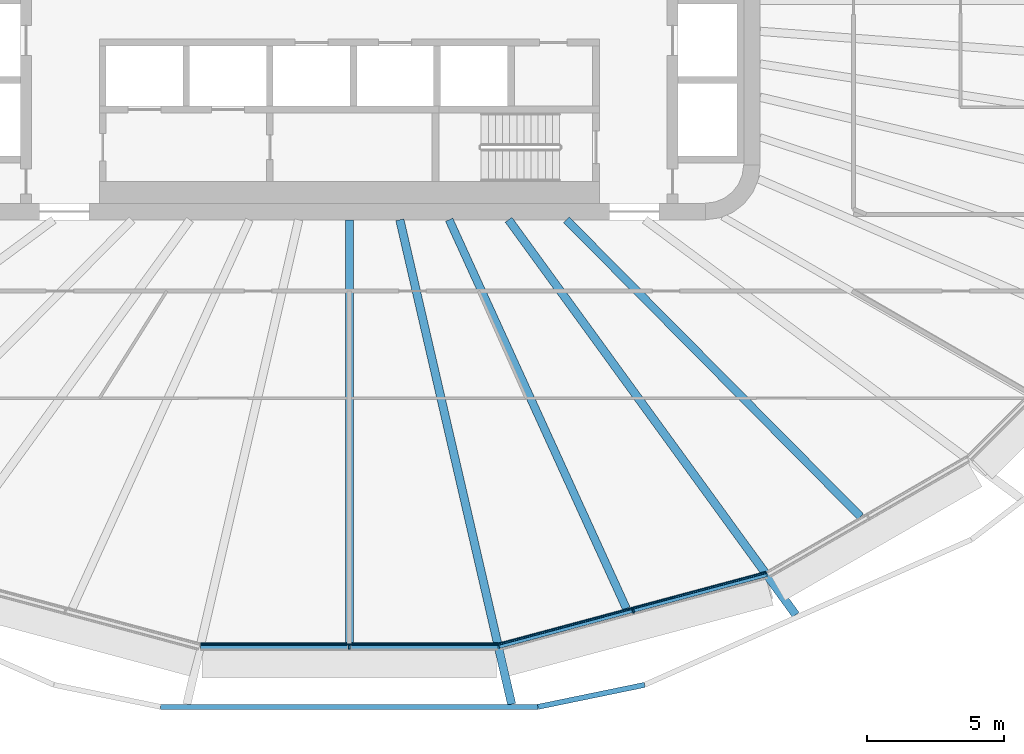
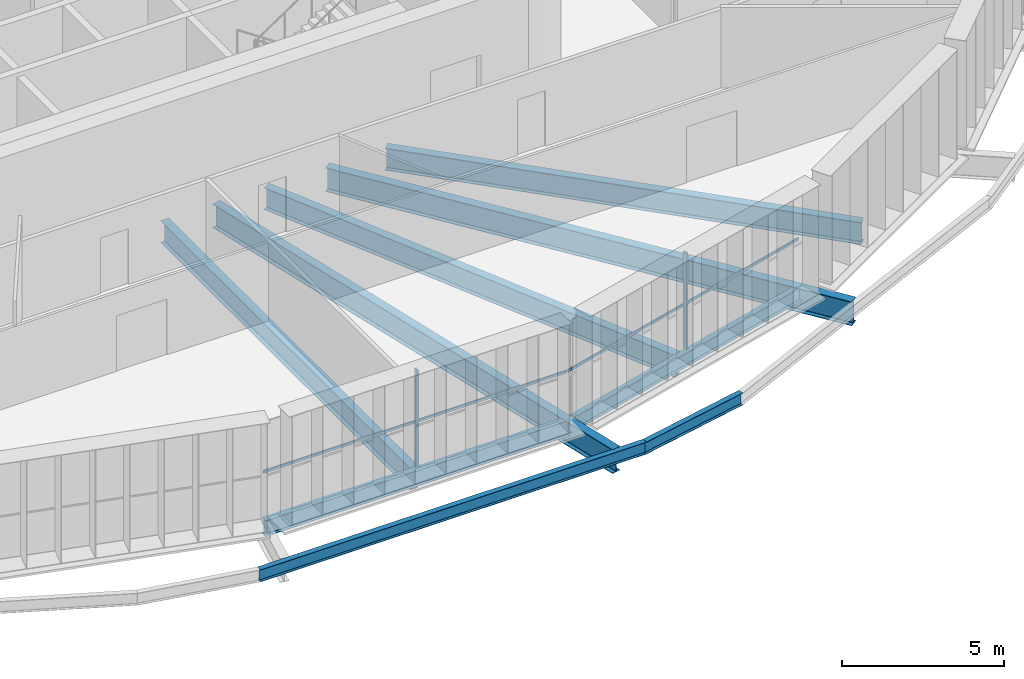
# One storey, part 4 of 25: 9 beams, 4 members, 2 elements without a shape of their own.
"""IFC4 building model written with IfcOpenShell, lengths in metres."""

from ifc_helpers import new_model, si_unit, direction, frame, origin, origin_2d, place, context, subcontext, project, spatial, rectangle, i_section, extrude, material, layer, layer_set, material_profile, profile_set, type_object, element, aggregate, save


model = new_model("IFC4")

# Units and contexts
model_context = context("Model", 3, precision=1e-05, world=origin(), true_north=direction((0.0, 1.0)))
body_context = subcontext(model_context, "Body", "Model", "MODEL_VIEW")
ifc_project = project(units=[si_unit("LENGTHUNIT", "METRE"), si_unit("AREAUNIT", "SQUARE_METRE"), si_unit("VOLUMEUNIT", "CUBIC_METRE"), si_unit("PLANEANGLEUNIT", "RADIAN"), si_unit("MASSUNIT", "GRAM", prefix="KILO")], contexts=[model_context])

# Site, building, storey
site_placement = place(None, origin())
site = spatial("IfcSite", under=ifc_project, at=site_placement, CompositionType="ELEMENT")
building_placement = place(site_placement, origin())
building = spatial("IfcBuilding", under=site, at=building_placement, Name="Sahrelin Media Tower", CompositionType="ELEMENT")
storey_placement = place(building_placement, frame((0.0, 0.0, 135.60009765625)))
storey = spatial("IfcBuildingStorey", under=building, at=storey_placement, Name="L27", CompositionType="ELEMENT", Elevation=135.60009765625)

# Beams
ifc_material_1 = material(Name="Steel S355", Category="steel")
ifc_material_profile_1 = material_profile(ifc_material_1, i_section(OverallWidth=0.208740234375, OverallDepth=0.5283203125, WebThickness=0.009521484375, FlangeThickness=0.01318359375, FilletRadius=0.0126953125, at=origin_2d()), Name="UB 533x210x82")
ifc_profile_set_1 = profile_set([ifc_material_profile_1], Name="Steel S355")
beam_type_1 = type_object("IfcBeamType", Name="Edge beam EB6", PredefinedType="BEAM", material=ifc_profile_set_1)
beam_1_placement = place(storey_placement, frame((15.23779296875, -20.9228515625, -0.414306640625), z_axis=(-0.96592349726, -0.258827737002, 0.0), x_axis=(0.258827737002, -0.96592349726, 0.0)))
element("IfcBeam", 1, at=beam_1_placement, inside=storey, type_object=beam_type_1, Name="Edge beam L27-06", PredefinedType="BEAM", context=body_context, shape_type="SweptSolid", body=[
    extrude(i_section(OverallWidth=0.208740234375, OverallDepth=0.5283203125, WebThickness=0.009521484375, FlangeThickness=0.01318359375, FilletRadius=0.0126953125, at=origin_2d()), origin(), (0.0, 0.0, 1.0), 10.119140625),
])
ifc_material_profile_2 = material_profile(ifc_material_1, i_section(OverallWidth=0.2275390625, OverallDepth=0.6025390625, WebThickness=0.010498046875, FlangeThickness=0.014892578125, FilletRadius=0.0126953125, at=origin_2d()), Name="UB 610x229x101")
ifc_profile_set_2 = profile_set([ifc_material_profile_2], Name="Steel S355")
beam_type_2 = type_object("IfcBeamType", Name="Edge beam EB7", PredefinedType="BEAM", material=ifc_profile_set_2)
beam_2_placement = place(storey_placement, frame((5.434814453125, -23.545654296875, -0.451416015625), z_axis=(-1.0, 0.0, 0.0), x_axis=(0.0, -1.0, 0.0)))
element("IfcBeam", 2, at=beam_2_placement, inside=storey, type_object=beam_type_2, Name="Edge beam L27-07", PredefinedType="BEAM", context=body_context, shape_type="SweptSolid", body=[
    extrude(i_section(OverallWidth=0.2275390625, OverallDepth=0.6025390625, WebThickness=0.010498046875, FlangeThickness=0.014892578125, FilletRadius=0.0126953125, at=origin_2d()), origin(), (0.0, 0.0, 1.0), 10.86962890625),
])

# Curtain wall, member
ifc_material_2 = material(Name="Champagne anodised aluminium 6063-T6", Category="aluminium")
ifc_layer = layer(ifc_material_2, 0.14990234375)
ifc_layer_set = layer_set([ifc_layer], Name="Tower ribbon curtain wall")
curtain_wall_type = type_object("IfcCurtainWallType", Name="Tower ribbon curtain wall", PredefinedType="NOTDEFINED", material=ifc_layer_set)
curtain_wall_1_placement = place(storey_placement, frame((0.0, -23.69580078125, 0.0), z_axis=(0.0, 0.0, 1.0), x_axis=(1.0, 0.0, 0.0)))
curtain_wall_1 = element("IfcCurtainWall", 3, at=curtain_wall_1_placement, inside=storey, type_object=curtain_wall_type, Name="L27:CW:L27-18", PredefinedType="NOTDEFINED")
ifc_material_profile_3 = material_profile(ifc_material_2, rectangle(XDim=0.06005859375, YDim=0.14990234375, at=origin_2d()), Name="Mullion 60x150")
ifc_profile_set_3 = profile_set([ifc_material_profile_3], Name="Champagne anodised aluminium 6063-T6")
member_type_1 = type_object("IfcMemberType", Name="Mullion 60x150 CW1", PredefinedType="MULLION", material=ifc_profile_set_3)
member_1_placement = place(storey_placement, frame((0.0, -23.6005859375, 0.0), z_axis=(0.0, 0.0, 1.0), x_axis=(1.0, 0.0, 0.0)))
member_1 = element("IfcMember", 4, at=member_1_placement, type_object=member_type_1, Name="L27:CWM:L27-18", PredefinedType="MULLION", context=body_context, shape_type="SweptSolid", body=[
    extrude(rectangle(XDim=0.06005859375, YDim=0.14990234375, at=origin_2d()), origin(), (0.0, 0.0, 1.0), 3.6484375),
])

curtain_wall_2_placement = place(storey_placement, frame((10.389404296875, -22.377197265625, 0.0), z_axis=(0.0, 0.0, 1.0), x_axis=(1.0, 0.0, 0.0)))
curtain_wall_2 = element("IfcCurtainWall", 5, at=curtain_wall_2_placement, inside=storey, type_object=curtain_wall_type, Name="L27:CW:L27-19", PredefinedType="NOTDEFINED")
member_2_placement = place(storey_placement, frame((10.364990234375, -22.285400390625, 0.0), z_axis=(0.0, 0.0, 1.0), x_axis=(0.965925826289, 0.258819045103, 0.0)))
member_2 = element("IfcMember", 6, at=member_2_placement, type_object=member_type_1, Name="L27:CWM:L27-19", PredefinedType="MULLION", context=body_context, shape_type="SweptSolid", body=[
    extrude(rectangle(XDim=0.06005859375, YDim=0.14990234375, at=origin_2d()), origin(), (0.0, 0.0, 1.0), 3.6484375),
])

# Beams
ifc_material_profile_4 = material_profile(ifc_material_1, i_section(OverallWidth=0.30322265625, OverallDepth=0.903076171875, WebThickness=0.01513671875, FlangeThickness=0.020263671875, FilletRadius=0.01904296875, at=origin_2d()), Name="UB 914x305x201")
ifc_profile_set_4 = profile_set([ifc_material_profile_4], Name="Steel S355")
beam_type_3 = type_object("IfcBeamType", Name="Radial primary beam PB11", PredefinedType="BEAM", material=ifc_profile_set_4)
beam_3_placement = place(storey_placement, frame((1.846435546875, -8.0, -0.6015625), z_axis=(0.224889964266, -0.974384166524, 0.0), x_axis=(0.974384166524, 0.224889964266, 0.0)))
element("IfcBeam", 7, at=beam_3_placement, inside=storey, type_object=beam_type_3, Name="Radial beam L27-19", PredefinedType="BEAM", context=body_context, shape_type="SweptSolid", body=[
    extrude(i_section(OverallWidth=0.30322265625, OverallDepth=0.903076171875, WebThickness=0.01513671875, FlangeThickness=0.020263671875, FilletRadius=0.01904296875, at=origin_2d()), origin(), (0.0, 0.0, 1.0), 18.14794921875),
])
beam_4_placement = place(storey_placement, frame((5.81591796875, -8.0, -0.6015625), z_axis=(0.588024299574, -0.808843262388, 0.0), x_axis=(0.808843262388, 0.588024299574, 0.0)))
element("IfcBeam", 8, at=beam_4_placement, inside=storey, type_object=beam_type_3, Name="Radial beam L27-20", PredefinedType="BEAM", context=body_context, shape_type="SweptSolid", body=[
    extrude(i_section(OverallWidth=0.30322265625, OverallDepth=0.903076171875, WebThickness=0.01513671875, FlangeThickness=0.020263671875, FilletRadius=0.01904296875, at=origin_2d()), origin(), (0.0, 0.0, 1.0), 17.826904296875),
])
ifc_material_profile_5 = material_profile(ifc_material_1, i_section(OverallWidth=0.291748046875, OverallDepth=0.8349609375, WebThickness=0.013916015625, FlangeThickness=0.018798828125, FilletRadius=0.017822265625, at=origin_2d()), Name="UB 838x292x176")
ifc_profile_set_5 = profile_set([ifc_material_profile_5], Name="Steel S355")
beam_type_4 = type_object("IfcBeamType", Name="Radial secondary beam SB10", PredefinedType="BEAM", material=ifc_profile_set_5)
beam_5_placement = place(storey_placement, frame((0.0, -8.0, -0.567626953125), z_axis=(0.0, -1.0, 0.0), x_axis=(1.0, 0.0, 0.0)))
element("IfcBeam", 9, at=beam_5_placement, inside=storey, type_object=beam_type_4, Name="Secondary beam L27-18", PredefinedType="BEAM", context=body_context, shape_type="SweptSolid", body=[
    extrude(i_section(OverallWidth=0.291748046875, OverallDepth=0.8349609375, WebThickness=0.013916015625, FlangeThickness=0.018798828125, FilletRadius=0.017822265625, at=origin_2d()), origin(), (0.0, 0.0, 1.0), 15.431884765625),
])
beam_6_placement = place(storey_placement, frame((3.64697265625, -8.0, -0.567626953125), z_axis=(0.414807797457, -0.909909056538, 0.0), x_axis=(0.909909056538, 0.414807797457, 0.0)))
element("IfcBeam", 10, at=beam_6_placement, inside=storey, type_object=beam_type_4, Name="Secondary beam L27-19", PredefinedType="BEAM", context=body_context, shape_type="SweptSolid", body=[
    extrude(i_section(OverallWidth=0.291748046875, OverallDepth=0.8349609375, WebThickness=0.013916015625, FlangeThickness=0.018798828125, FilletRadius=0.017822265625, at=origin_2d()), origin(), (0.0, 0.0, 1.0), 15.59228515625),
])
beam_7_placement = place(storey_placement, frame((7.92578125, -8.0, -0.567626953125), z_axis=(0.703794822352, -0.710403299563, 0.0), x_axis=(0.710403299563, 0.703794822352, 0.0)))
element("IfcBeam", 11, at=beam_7_placement, inside=storey, type_object=beam_type_4, Name="Secondary beam L27-20", PredefinedType="BEAM", context=body_context, shape_type="SweptSolid", body=[
    extrude(i_section(OverallWidth=0.291748046875, OverallDepth=0.8349609375, WebThickness=0.013916015625, FlangeThickness=0.018798828125, FilletRadius=0.017822265625, at=origin_2d()), origin(), (0.0, 0.0, 1.0), 15.257568359375),
])
ifc_material_profile_6 = material_profile(ifc_material_1, i_section(OverallWidth=0.1904296875, OverallDepth=0.45703125, WebThickness=0.009033203125, FlangeThickness=0.014404296875, FilletRadius=0.01025390625, at=origin_2d()), Name="UB 457x191x74")
ifc_profile_set_6 = profile_set([ifc_material_profile_6], Name="Steel S355")
beam_type_5 = type_object("IfcBeamType", Name="Tie chord TC5", PredefinedType="BEAM", material=ifc_profile_set_6)
beam_8_placement = place(storey_placement, frame((-6.8876953125, -25.7783203125, -0.378662109375), z_axis=(1.0, 0.0, 0.0), x_axis=(0.0, 1.0, 0.0)))
element("IfcBeam", 12, at=beam_8_placement, inside=storey, type_object=beam_type_5, Name="Tie chord L27-18", PredefinedType="BEAM", context=body_context, shape_type="SweptSolid", body=[
    extrude(i_section(OverallWidth=0.1904296875, OverallDepth=0.45703125, WebThickness=0.009033203125, FlangeThickness=0.014404296875, FilletRadius=0.01025390625, at=origin_2d()), origin(), (0.0, 0.0, 1.0), 13.775390625),
])
beam_9_placement = place(storey_placement, frame((6.8876953125, -25.7783203125, -0.378662109375), z_axis=(0.979384194354, 0.202006435171, 0.0), x_axis=(-0.202006435171, 0.979384194354, 0.0)))
element("IfcBeam", 13, at=beam_9_placement, inside=storey, type_object=beam_type_5, Name="Tie chord L27-19", PredefinedType="BEAM", context=body_context, shape_type="SweptSolid", body=[
    extrude(i_section(OverallWidth=0.1904296875, OverallDepth=0.45703125, WebThickness=0.009033203125, FlangeThickness=0.014404296875, FilletRadius=0.01025390625, at=origin_2d()), origin(), (0.0, 0.0, 1.0), 3.97509765625),
])

# Member
ifc_material_profile_7 = material_profile(ifc_material_2, rectangle(XDim=0.050048828125, YDim=0.10009765625, at=origin_2d()), Name="Transom 50x100")
ifc_profile_set_7 = profile_set([ifc_material_profile_7], Name="Champagne anodised aluminium 6063-T6")
member_type_2 = type_object("IfcMemberType", Name="Transom 50x100 CW1", PredefinedType="USERDEFINED", material=ifc_profile_set_7)
member_3_placement = place(storey_placement, frame((-5.419189453125, -23.500732421875, 1.599853515625), z_axis=(1.0, 0.0, 0.0), x_axis=(0.0, 1.0, 0.0)))
member_3 = element("IfcMember", 14, at=member_3_placement, type_object=member_type_2, Name="L27:CWT:L27-18", ObjectType="TRANSOM", PredefinedType="USERDEFINED", context=body_context, shape_type="SweptSolid", body=[
    extrude(rectangle(XDim=0.050048828125, YDim=0.10009765625, at=origin_2d()), origin(), (0.0, 0.0, 1.0), 10.83837890625),
])

aggregate(curtain_wall_1, [member_1, member_3])

member_4_placement = place(storey_placement, frame((5.466796875, -23.494384765625, 1.599853515625), z_axis=(0.965928174808, 0.258810280151, 0.0), x_axis=(-0.258810280151, 0.965928174808, 0.0)))
member_4 = element("IfcMember", 15, at=member_4_placement, type_object=member_type_2, Name="L27:CWT:L27-19", ObjectType="TRANSOM", PredefinedType="USERDEFINED", context=body_context, shape_type="SweptSolid", body=[
    extrude(rectangle(XDim=0.050048828125, YDim=0.10009765625, at=origin_2d()), origin(), (0.0, 0.0, 1.0), 10.087890625),
])

aggregate(curtain_wall_2, [member_2, member_4])

save(model, "model.ifc")
